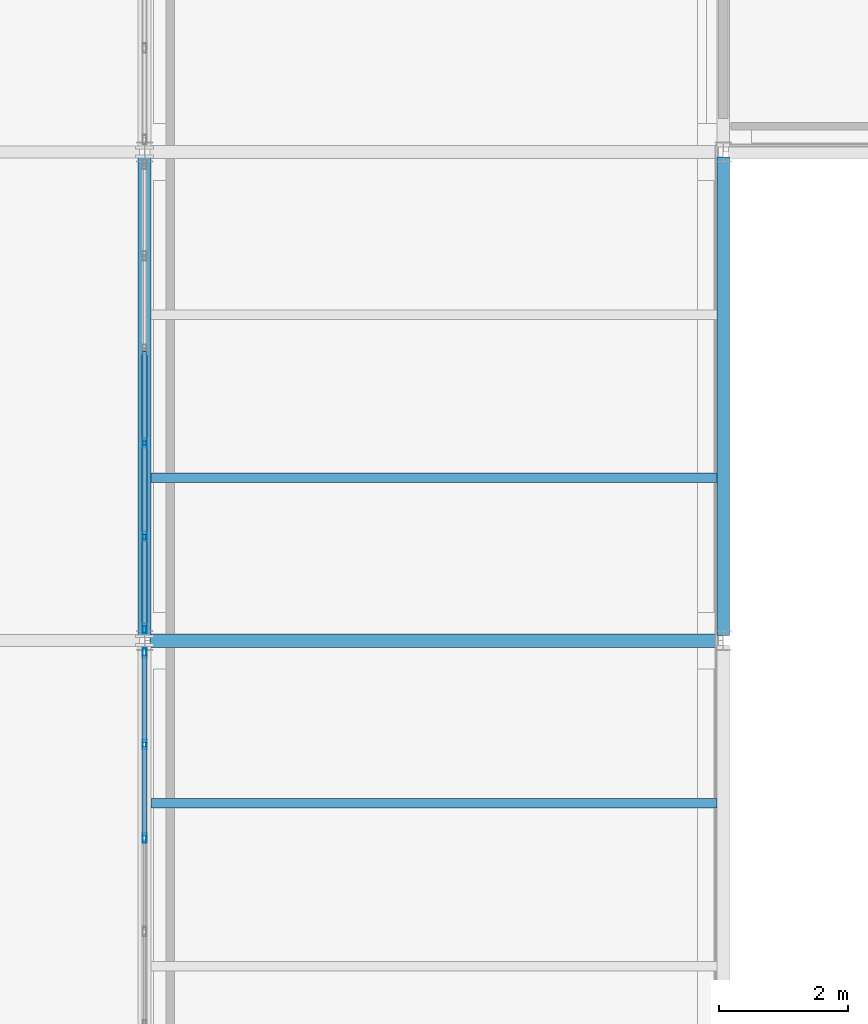
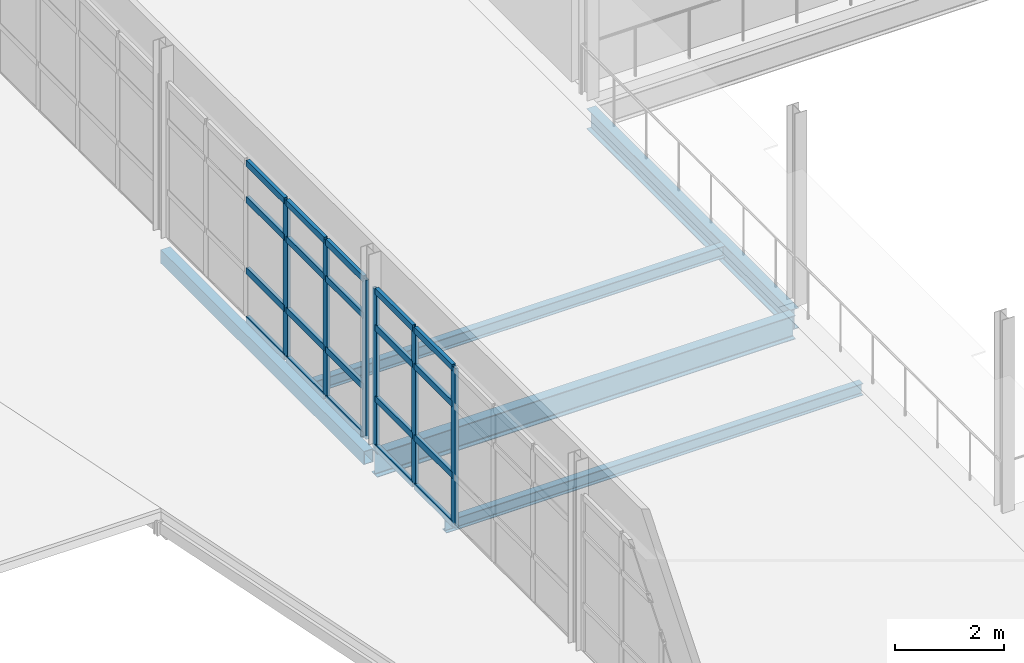
# One storey, part 44 of 96: 26 members, 5 beams, 2 elements without a shape of their own.
"""IFC4 building model written with IfcOpenShell, lengths in metres."""

from ifc_helpers import new_model, si_unit, direction, frame, origin, origin_2d, place, context, subcontext, project, spatial, hollow_rectangle, i_section, extrude, material, material_profile, profile_set, type_object, element, aggregate, save


model = new_model("IFC4")

# Units and contexts
model_context = context("Model", 3, precision=1e-05, world=origin(), true_north=direction((0.0, 1.0)))
body_context = subcontext(model_context, "Body", "Model", "MODEL_VIEW")
ifc_project = project(units=[si_unit("LENGTHUNIT", "METRE"), si_unit("AREAUNIT", "SQUARE_METRE"), si_unit("VOLUMEUNIT", "CUBIC_METRE"), si_unit("PLANEANGLEUNIT", "RADIAN"), si_unit("MASSUNIT", "GRAM", prefix="KILO")], contexts=[model_context])

# Site, building, storey
site_placement = place(None, origin())
site = spatial("IfcSite", under=ifc_project, at=site_placement, CompositionType="ELEMENT")
building_placement = place(site_placement, origin())
building = spatial("IfcBuilding", under=site, at=building_placement, Name="Caisbarro Railhouse Central Library", CompositionType="ELEMENT")
storey_placement = place(building_placement, frame((0.0, 0.0, 13.679931640625)))
storey = spatial("IfcBuildingStorey", under=building, at=storey_placement, Name="L03", CompositionType="ELEMENT", Elevation=13.679931640625)

# Beams
ifc_material_1 = material(Name="Steel ASTM A572 Grade 50", Category="steel")
ifc_material_profile_1 = material_profile(ifc_material_1, i_section(OverallWidth=0.208984375, OverallDepth=0.532958984375, WebThickness=0.01025390625, FlangeThickness=0.015625, FilletRadius=0.02001953125, at=origin_2d()), Name="W530X92.0")
ifc_profile_set_1 = profile_set([ifc_material_profile_1], Name="Steel ASTM A572 Grade 50")
beam_type_1 = type_object("IfcBeamType", Name="BM-G06", PredefinedType="BEAM", material=ifc_profile_set_1)
beam_1_placement = place(storey_placement, frame((117.080078125, 83.60009765625, -0.486328125), z_axis=(1.0, 0.0, 0.0), x_axis=(0.0, 1.0, 0.0)))
element("IfcBeam", 1, at=beam_1_placement, inside=storey, type_object=beam_type_1, Name="G06 beam L03 #1863", PredefinedType="BEAM", context=body_context, shape_type="SweptSolid", body=[
    extrude(i_section(OverallWidth=0.208984375, OverallDepth=0.532958984375, WebThickness=0.01025390625, FlangeThickness=0.015625, FilletRadius=0.02001953125, at=origin_2d()), origin(), (0.0, 0.0, 1.0), 8.83984375),
])
ifc_material_profile_2 = material_profile(ifc_material_1, i_section(OverallWidth=0.18994140625, OverallDepth=0.45703125, WebThickness=0.009033203125, FlangeThickness=0.014404296875, FilletRadius=0.01806640625, at=origin_2d()), Name="W460X74.0")
ifc_profile_set_2 = profile_set([ifc_material_profile_2], Name="Steel ASTM A572 Grade 50")
beam_type_2 = type_object("IfcBeamType", Name="BM-G08", PredefinedType="BEAM", material=ifc_profile_set_2)
beam_2_placement = place(storey_placement, frame((126.0, 83.679931640625, -0.448486328125), z_axis=(0.0, 1.0, 0.0), x_axis=(-1.0, 0.0, 0.0)))
element("IfcBeam", 2, at=beam_2_placement, inside=storey, type_object=beam_type_2, Name="G08 beam L03 #1889", PredefinedType="BEAM", context=body_context, shape_type="SweptSolid", body=[
    extrude(i_section(OverallWidth=0.18994140625, OverallDepth=0.45703125, WebThickness=0.009033203125, FlangeThickness=0.014404296875, FilletRadius=0.01806640625, at=origin_2d()), origin(), (0.0, 0.0, 1.0), 7.440185546875),
])
ifc_material_profile_3 = material_profile(ifc_material_1, i_section(OverallWidth=0.14794921875, OverallDepth=0.26611328125, WebThickness=0.007568359375, FlangeThickness=0.012939453125, FilletRadius=0.010009765625, at=origin_2d()), Name="W250X44.8")
ifc_profile_set_3 = profile_set([ifc_material_profile_3], Name="Steel ASTM A572 Grade 50")
beam_type_3 = type_object("IfcBeamType", Name="BM-J04", PredefinedType="JOIST", material=ifc_profile_set_3)
for number, where, z_axis, x_axis, name in (
    (3, (117.10009765625, 81.066650390625, -0.35302734375), (1.0, 0.0, 0.0), (0.0, 1.0, 0.0), "J04 beam L03 #1912"),
    (4, (117.10009765625, 86.13330078125, -0.35302734375), (1.0, 0.0, 0.0), (0.0, 1.0, 0.0), "J04 beam L03 #1913"),
):
    element("IfcBeam", number, at=place(storey_placement, frame(where, z_axis=z_axis, x_axis=x_axis)), inside=storey, type_object=beam_type_3, Name=name, PredefinedType="JOIST", context=body_context, shape_type="SweptSolid", body=[
        extrude(i_section(OverallWidth=0.14794921875, OverallDepth=0.26611328125, WebThickness=0.007568359375, FlangeThickness=0.012939453125, FilletRadius=0.010009765625, at=origin_2d()), origin(), (0.0, 0.0, 1.0), 8.804931640625),
    ])
ifc_material_profile_4 = material_profile(ifc_material_1, hollow_rectangle(XDim=0.199951171875, YDim=0.300048828125, WallThickness=0.012451171875, at=origin_2d()), Name="HSS300X200X12.5")
ifc_profile_set_4 = profile_set([ifc_material_profile_4], Name="Steel ASTM A572 Grade 50")
beam_type_4 = type_object("IfcBeamType", Name="BM-SP02", PredefinedType="SPANDREL", material=ifc_profile_set_4)
beam_3_placement = place(storey_placement, frame((117.0, 83.679931640625, -0.369873046875), z_axis=(0.0, 1.0, 0.0), x_axis=(-1.0, 0.0, 0.0)))
element("IfcBeam", 5, at=beam_3_placement, inside=storey, type_object=beam_type_4, Name="SP02 beam L03 #1883", PredefinedType="SPANDREL", context=body_context, shape_type="SweptSolid", body=[
    extrude(hollow_rectangle(XDim=0.199951171875, YDim=0.300048828125, WallThickness=0.012451171875, at=origin_2d()), origin(), (0.0, 0.0, 1.0), 7.440185546875),
])

# Curtain wall, members
ifc_material_2 = material(Name="Anodised architectural aluminium", Category="aluminium")
curtain_wall_type = type_object("IfcCurtainWallType", Name="CW-CW02", PredefinedType="NOTDEFINED", material=ifc_material_2)
curtain_wall_1_placement = place(storey_placement, origin())
curtain_wall_1 = element("IfcCurtainWall", 6, at=curtain_wall_1_placement, inside=storey, type_object=curtain_wall_type, Name="CW02 curtain wall L03 #143", PredefinedType="NOTDEFINED")
ifc_material_profile_5 = material_profile(ifc_material_2, hollow_rectangle(XDim=0.06494140625, YDim=0.14990234375, WallThickness=0.00390625, at=origin_2d()), Name="ALU-MUL-65X150")
ifc_profile_set_5 = profile_set([ifc_material_profile_5], Name="Anodised architectural aluminium")
member_type_1 = type_object("IfcMemberType", Name="CWM-M02", PredefinedType="MULLION", material=ifc_profile_set_5)
member_1_placement = place(storey_placement, frame((117.0, 80.528076171875, 0.0), z_axis=(0.0, 0.0, 1.0), x_axis=(-1.0, 0.0, 0.0)))
member_1 = element("IfcMember", 7, at=member_1_placement, type_object=member_type_1, Name="CW02 mullion 4", PredefinedType="MULLION", context=body_context, shape_type="SweptSolid", body=[
    extrude(hollow_rectangle(XDim=0.06494140625, YDim=0.14990234375, WallThickness=0.00390625, at=origin_2d()), origin(), (0.0, 0.0, 1.0), 3.56005859375),
])
member_2_placement = place(storey_placement, frame((117.0, 81.98388671875, 0.0), z_axis=(0.0, 0.0, 1.0), x_axis=(-1.0, 0.0, 0.0)))
member_2 = element("IfcMember", 8, at=member_2_placement, type_object=member_type_1, Name="CW02 mullion 5", PredefinedType="MULLION", context=body_context, shape_type="SweptSolid", body=[
    extrude(hollow_rectangle(XDim=0.06494140625, YDim=0.14990234375, WallThickness=0.00390625, at=origin_2d()), origin(), (0.0, 0.0, 1.0), 3.56005859375),
])
member_3_placement = place(storey_placement, frame((117.0, 83.407470703125, 0.0), z_axis=(0.0, 0.0, 1.0), x_axis=(-1.0, 0.0, 0.0)))
member_3 = element("IfcMember", 9, at=member_3_placement, type_object=member_type_1, Name="CW02 mullion 6", PredefinedType="MULLION", context=body_context, shape_type="SweptSolid", body=[
    extrude(hollow_rectangle(XDim=0.06494140625, YDim=0.14990234375, WallThickness=0.00390625, at=origin_2d()), origin(), (0.0, 0.0, 1.0), 3.56005859375),
])

curtain_wall_2_placement = place(storey_placement, origin())
curtain_wall_2 = element("IfcCurtainWall", 10, at=curtain_wall_2_placement, inside=storey, type_object=curtain_wall_type, Name="CW02 curtain wall L03 #144", PredefinedType="NOTDEFINED")
member_4_placement = place(storey_placement, frame((117.0, 83.79248046875, 0.0), z_axis=(0.0, 0.0, 1.0), x_axis=(-1.0, 0.0, 0.0)))
member_4 = element("IfcMember", 11, at=member_4_placement, type_object=member_type_1, Name="CW02 mullion 1", PredefinedType="MULLION", context=body_context, shape_type="SweptSolid", body=[
    extrude(hollow_rectangle(XDim=0.06494140625, YDim=0.14990234375, WallThickness=0.00390625, at=origin_2d()), origin(), (0.0, 0.0, 1.0), 3.56005859375),
])
member_5_placement = place(storey_placement, frame((117.0, 85.216064453125, 0.0), z_axis=(0.0, 0.0, 1.0), x_axis=(-1.0, 0.0, 0.0)))
member_5 = element("IfcMember", 12, at=member_5_placement, type_object=member_type_1, Name="CW02 mullion 2", PredefinedType="MULLION", context=body_context, shape_type="SweptSolid", body=[
    extrude(hollow_rectangle(XDim=0.06494140625, YDim=0.14990234375, WallThickness=0.00390625, at=origin_2d()), origin(), (0.0, 0.0, 1.0), 3.56005859375),
])
member_6_placement = place(storey_placement, frame((117.0, 86.672119140625, 0.0), z_axis=(0.0, 0.0, 1.0), x_axis=(-1.0, 0.0, 0.0)))
member_6 = element("IfcMember", 13, at=member_6_placement, type_object=member_type_1, Name="CW02 mullion 3", PredefinedType="MULLION", context=body_context, shape_type="SweptSolid", body=[
    extrude(hollow_rectangle(XDim=0.06494140625, YDim=0.14990234375, WallThickness=0.00390625, at=origin_2d()), origin(), (0.0, 0.0, 1.0), 3.56005859375),
])

# Member
ifc_material_profile_6 = material_profile(ifc_material_2, hollow_rectangle(XDim=0.074951171875, YDim=0.139892578125, WallThickness=0.00390625, at=origin_2d()), Name="ALU-TRN-75X140")
ifc_profile_set_6 = profile_set([ifc_material_profile_6], Name="Anodised architectural aluminium")
member_type_2 = type_object("IfcMemberType", Name="CWT-T01", PredefinedType="USERDEFINED", material=ifc_profile_set_6)
member_7_placement = place(storey_placement, frame((117.0, 80.560546875, 0.03759765625), z_axis=(0.0, 1.0, 0.0), x_axis=(-1.0, 0.0, 0.0)))
member_7 = element("IfcMember", 14, at=member_7_placement, type_object=member_type_2, Name="CW02 transom 4.1", ObjectType="TRANSOM", PredefinedType="USERDEFINED", context=body_context, shape_type="SweptSolid", body=[
    extrude(hollow_rectangle(XDim=0.074951171875, YDim=0.139892578125, WallThickness=0.00390625, at=origin_2d()), origin(), (0.0, 0.0, 1.0), 1.390869140625),
])

member_8_placement = place(storey_placement, frame((117.0, 80.560546875, 1.1201171875), z_axis=(0.0, 1.0, 0.0), x_axis=(-1.0, 0.0, 0.0)))
member_8 = element("IfcMember", 15, at=member_8_placement, type_object=member_type_2, Name="CW02 transom 4.2", ObjectType="TRANSOM", PredefinedType="USERDEFINED", context=body_context, shape_type="SweptSolid", body=[
    extrude(hollow_rectangle(XDim=0.074951171875, YDim=0.139892578125, WallThickness=0.00390625, at=origin_2d()), origin(), (0.0, 0.0, 1.0), 1.390869140625),
])

member_9_placement = place(storey_placement, frame((117.0, 80.560546875, 2.7099609375), z_axis=(0.0, 1.0, 0.0), x_axis=(-1.0, 0.0, 0.0)))
member_9 = element("IfcMember", 16, at=member_9_placement, type_object=member_type_2, Name="CW02 transom 4.3", ObjectType="TRANSOM", PredefinedType="USERDEFINED", context=body_context, shape_type="SweptSolid", body=[
    extrude(hollow_rectangle(XDim=0.074951171875, YDim=0.139892578125, WallThickness=0.00390625, at=origin_2d()), origin(), (0.0, 0.0, 1.0), 1.390869140625),
])

member_10_placement = place(storey_placement, frame((117.0, 80.560546875, 3.5224609375), z_axis=(0.0, 1.0, 0.0), x_axis=(-1.0, 0.0, 0.0)))
member_10 = element("IfcMember", 17, at=member_10_placement, type_object=member_type_2, Name="CW02 transom 4.4", ObjectType="TRANSOM", PredefinedType="USERDEFINED", context=body_context, shape_type="SweptSolid", body=[
    extrude(hollow_rectangle(XDim=0.074951171875, YDim=0.139892578125, WallThickness=0.00390625, at=origin_2d()), origin(), (0.0, 0.0, 1.0), 1.390869140625),
])

member_11_placement = place(storey_placement, frame((117.0, 82.0166015625, 0.03759765625), z_axis=(0.0, 1.0, 0.0), x_axis=(-1.0, 0.0, 0.0)))
member_11 = element("IfcMember", 18, at=member_11_placement, type_object=member_type_2, Name="CW02 transom 5.1", ObjectType="TRANSOM", PredefinedType="USERDEFINED", context=body_context, shape_type="SweptSolid", body=[
    extrude(hollow_rectangle(XDim=0.074951171875, YDim=0.139892578125, WallThickness=0.00390625, at=origin_2d()), origin(), (0.0, 0.0, 1.0), 1.3583984375),
])

member_12_placement = place(storey_placement, frame((117.0, 82.0166015625, 1.1201171875), z_axis=(0.0, 1.0, 0.0), x_axis=(-1.0, 0.0, 0.0)))
member_12 = element("IfcMember", 19, at=member_12_placement, type_object=member_type_2, Name="CW02 transom 5.2", ObjectType="TRANSOM", PredefinedType="USERDEFINED", context=body_context, shape_type="SweptSolid", body=[
    extrude(hollow_rectangle(XDim=0.074951171875, YDim=0.139892578125, WallThickness=0.00390625, at=origin_2d()), origin(), (0.0, 0.0, 1.0), 1.3583984375),
])

member_13_placement = place(storey_placement, frame((117.0, 82.0166015625, 2.7099609375), z_axis=(0.0, 1.0, 0.0), x_axis=(-1.0, 0.0, 0.0)))
member_13 = element("IfcMember", 20, at=member_13_placement, type_object=member_type_2, Name="CW02 transom 5.3", ObjectType="TRANSOM", PredefinedType="USERDEFINED", context=body_context, shape_type="SweptSolid", body=[
    extrude(hollow_rectangle(XDim=0.074951171875, YDim=0.139892578125, WallThickness=0.00390625, at=origin_2d()), origin(), (0.0, 0.0, 1.0), 1.3583984375),
])

member_14_placement = place(storey_placement, frame((117.0, 82.0166015625, 3.5224609375), z_axis=(0.0, 1.0, 0.0), x_axis=(-1.0, 0.0, 0.0)))
member_14 = element("IfcMember", 21, at=member_14_placement, type_object=member_type_2, Name="CW02 transom 5.4", ObjectType="TRANSOM", PredefinedType="USERDEFINED", context=body_context, shape_type="SweptSolid", body=[
    extrude(hollow_rectangle(XDim=0.074951171875, YDim=0.139892578125, WallThickness=0.00390625, at=origin_2d()), origin(), (0.0, 0.0, 1.0), 1.3583984375),
])

aggregate(curtain_wall_1, [member_1, member_2, member_3, member_7, member_8, member_9, member_10, member_11, member_12, member_13, member_14])

member_15_placement = place(storey_placement, frame((117.0, 83.824951171875, 0.03759765625), z_axis=(0.0, 1.0, 0.0), x_axis=(-1.0, 0.0, 0.0)))
member_15 = element("IfcMember", 22, at=member_15_placement, type_object=member_type_2, Name="CW02 transom 1.1", ObjectType="TRANSOM", PredefinedType="USERDEFINED", context=body_context, shape_type="SweptSolid", body=[
    extrude(hollow_rectangle(XDim=0.074951171875, YDim=0.139892578125, WallThickness=0.00390625, at=origin_2d()), origin(), (0.0, 0.0, 1.0), 1.358642578125),
])

member_16_placement = place(storey_placement, frame((117.0, 83.824951171875, 1.1201171875), z_axis=(0.0, 1.0, 0.0), x_axis=(-1.0, 0.0, 0.0)))
member_16 = element("IfcMember", 23, at=member_16_placement, type_object=member_type_2, Name="CW02 transom 1.2", ObjectType="TRANSOM", PredefinedType="USERDEFINED", context=body_context, shape_type="SweptSolid", body=[
    extrude(hollow_rectangle(XDim=0.074951171875, YDim=0.139892578125, WallThickness=0.00390625, at=origin_2d()), origin(), (0.0, 0.0, 1.0), 1.358642578125),
])

member_17_placement = place(storey_placement, frame((117.0, 83.824951171875, 2.7099609375), z_axis=(0.0, 1.0, 0.0), x_axis=(-1.0, 0.0, 0.0)))
member_17 = element("IfcMember", 24, at=member_17_placement, type_object=member_type_2, Name="CW02 transom 1.3", ObjectType="TRANSOM", PredefinedType="USERDEFINED", context=body_context, shape_type="SweptSolid", body=[
    extrude(hollow_rectangle(XDim=0.074951171875, YDim=0.139892578125, WallThickness=0.00390625, at=origin_2d()), origin(), (0.0, 0.0, 1.0), 1.358642578125),
])

member_18_placement = place(storey_placement, frame((117.0, 83.824951171875, 3.5224609375), z_axis=(0.0, 1.0, 0.0), x_axis=(-1.0, 0.0, 0.0)))
member_18 = element("IfcMember", 25, at=member_18_placement, type_object=member_type_2, Name="CW02 transom 1.4", ObjectType="TRANSOM", PredefinedType="USERDEFINED", context=body_context, shape_type="SweptSolid", body=[
    extrude(hollow_rectangle(XDim=0.074951171875, YDim=0.139892578125, WallThickness=0.00390625, at=origin_2d()), origin(), (0.0, 0.0, 1.0), 1.358642578125),
])

member_19_placement = place(storey_placement, frame((117.0, 85.24853515625, 0.03759765625), z_axis=(0.0, 1.0, 0.0), x_axis=(-1.0, 0.0, 0.0)))
member_19 = element("IfcMember", 26, at=member_19_placement, type_object=member_type_2, Name="CW02 transom 2.1", ObjectType="TRANSOM", PredefinedType="USERDEFINED", context=body_context, shape_type="SweptSolid", body=[
    extrude(hollow_rectangle(XDim=0.074951171875, YDim=0.139892578125, WallThickness=0.00390625, at=origin_2d()), origin(), (0.0, 0.0, 1.0), 1.390869140625),
])

member_20_placement = place(storey_placement, frame((117.0, 85.24853515625, 1.1201171875), z_axis=(0.0, 1.0, 0.0), x_axis=(-1.0, 0.0, 0.0)))
member_20 = element("IfcMember", 27, at=member_20_placement, type_object=member_type_2, Name="CW02 transom 2.2", ObjectType="TRANSOM", PredefinedType="USERDEFINED", context=body_context, shape_type="SweptSolid", body=[
    extrude(hollow_rectangle(XDim=0.074951171875, YDim=0.139892578125, WallThickness=0.00390625, at=origin_2d()), origin(), (0.0, 0.0, 1.0), 1.390869140625),
])

member_21_placement = place(storey_placement, frame((117.0, 85.24853515625, 2.7099609375), z_axis=(0.0, 1.0, 0.0), x_axis=(-1.0, 0.0, 0.0)))
member_21 = element("IfcMember", 28, at=member_21_placement, type_object=member_type_2, Name="CW02 transom 2.3", ObjectType="TRANSOM", PredefinedType="USERDEFINED", context=body_context, shape_type="SweptSolid", body=[
    extrude(hollow_rectangle(XDim=0.074951171875, YDim=0.139892578125, WallThickness=0.00390625, at=origin_2d()), origin(), (0.0, 0.0, 1.0), 1.390869140625),
])

member_22_placement = place(storey_placement, frame((117.0, 85.24853515625, 3.5224609375), z_axis=(0.0, 1.0, 0.0), x_axis=(-1.0, 0.0, 0.0)))
member_22 = element("IfcMember", 29, at=member_22_placement, type_object=member_type_2, Name="CW02 transom 2.4", ObjectType="TRANSOM", PredefinedType="USERDEFINED", context=body_context, shape_type="SweptSolid", body=[
    extrude(hollow_rectangle(XDim=0.074951171875, YDim=0.139892578125, WallThickness=0.00390625, at=origin_2d()), origin(), (0.0, 0.0, 1.0), 1.390869140625),
])

member_23_placement = place(storey_placement, frame((117.0, 86.70458984375, 0.03759765625), z_axis=(0.0, 1.0, 0.0), x_axis=(-1.0, 0.0, 0.0)))
member_23 = element("IfcMember", 30, at=member_23_placement, type_object=member_type_2, Name="CW02 transom 3.1", ObjectType="TRANSOM", PredefinedType="USERDEFINED", context=body_context, shape_type="SweptSolid", body=[
    extrude(hollow_rectangle(XDim=0.074951171875, YDim=0.139892578125, WallThickness=0.00390625, at=origin_2d()), origin(), (0.0, 0.0, 1.0), 1.390869140625),
])

member_24_placement = place(storey_placement, frame((117.0, 86.70458984375, 1.1201171875), z_axis=(0.0, 1.0, 0.0), x_axis=(-1.0, 0.0, 0.0)))
member_24 = element("IfcMember", 31, at=member_24_placement, type_object=member_type_2, Name="CW02 transom 3.2", ObjectType="TRANSOM", PredefinedType="USERDEFINED", context=body_context, shape_type="SweptSolid", body=[
    extrude(hollow_rectangle(XDim=0.074951171875, YDim=0.139892578125, WallThickness=0.00390625, at=origin_2d()), origin(), (0.0, 0.0, 1.0), 1.390869140625),
])

member_25_placement = place(storey_placement, frame((117.0, 86.70458984375, 2.7099609375), z_axis=(0.0, 1.0, 0.0), x_axis=(-1.0, 0.0, 0.0)))
member_25 = element("IfcMember", 32, at=member_25_placement, type_object=member_type_2, Name="CW02 transom 3.3", ObjectType="TRANSOM", PredefinedType="USERDEFINED", context=body_context, shape_type="SweptSolid", body=[
    extrude(hollow_rectangle(XDim=0.074951171875, YDim=0.139892578125, WallThickness=0.00390625, at=origin_2d()), origin(), (0.0, 0.0, 1.0), 1.390869140625),
])

member_26_placement = place(storey_placement, frame((117.0, 86.70458984375, 3.5224609375), z_axis=(0.0, 1.0, 0.0), x_axis=(-1.0, 0.0, 0.0)))
member_26 = element("IfcMember", 33, at=member_26_placement, type_object=member_type_2, Name="CW02 transom 3.4", ObjectType="TRANSOM", PredefinedType="USERDEFINED", context=body_context, shape_type="SweptSolid", body=[
    extrude(hollow_rectangle(XDim=0.074951171875, YDim=0.139892578125, WallThickness=0.00390625, at=origin_2d()), origin(), (0.0, 0.0, 1.0), 1.390869140625),
])

aggregate(curtain_wall_2, [member_4, member_5, member_6, member_15, member_16, member_17, member_18, member_19, member_20, member_21, member_22, member_23, member_24, member_25, member_26])

save(model, "model.ifc")
